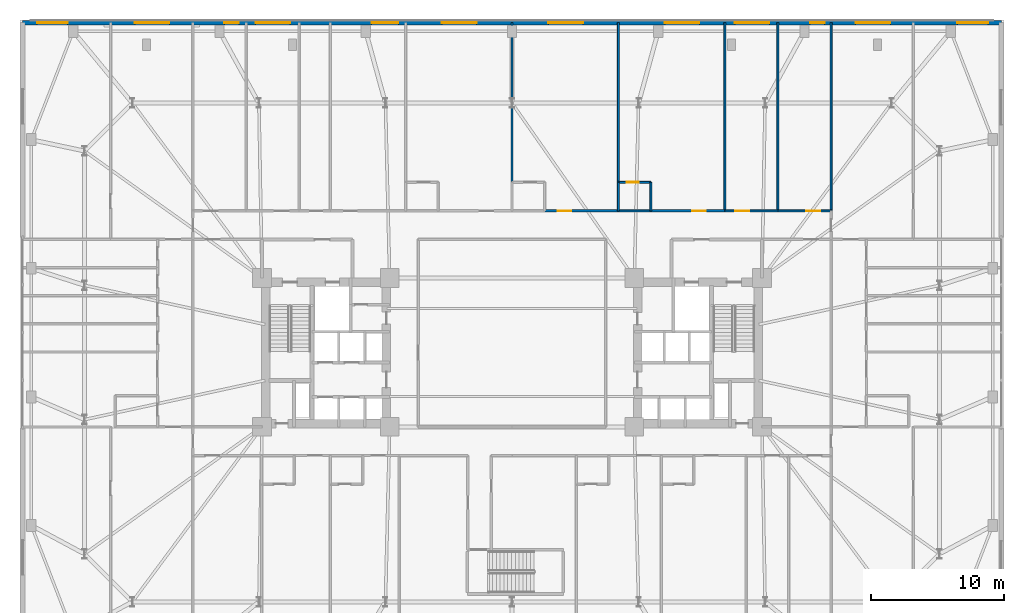
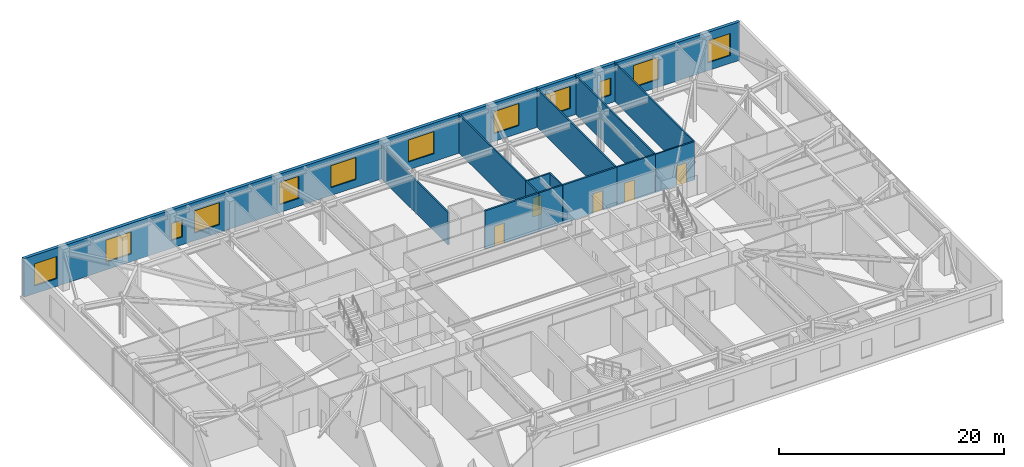
# One storey, part 16 of 21: 14 walls, 12 windows, 5 doors, 17 openings.
"""IFC4 building model written with IfcOpenShell, lengths in metres."""

from ifc_helpers import new_model, si_unit, direction, frame, frame_2d, origin, place, context, subcontext, project, spatial, rectangle, extrude, material, layer, layer_set, type_object, element, fill, save


model = new_model("IFC4")

# Units and contexts
model_context = context("Model", 3, precision=1e-05, world=origin(), true_north=direction((0.0, 1.0)))
body_context = subcontext(model_context, "Body", "Model", "MODEL_VIEW")
ifc_project = project(units=[si_unit("LENGTHUNIT", "METRE"), si_unit("AREAUNIT", "SQUARE_METRE"), si_unit("VOLUMEUNIT", "CUBIC_METRE"), si_unit("PLANEANGLEUNIT", "RADIAN"), si_unit("MASSUNIT", "GRAM", prefix="KILO")], contexts=[model_context])

# Site, building, storey
site_placement = place(None, origin())
site = spatial("IfcSite", under=ifc_project, at=site_placement, CompositionType="ELEMENT")
building_placement = place(site_placement, origin())
building = spatial("IfcBuilding", under=site, at=building_placement, Name="Qobustan Lattice House", CompositionType="ELEMENT")
storey_placement = place(building_placement, frame((0.0, 0.0, 18.0)))
storey = spatial("IfcBuildingStorey", under=building, at=storey_placement, Name="L04", CompositionType="ELEMENT", Elevation=18.0)

# Wall, openings, windows
ifc_material_1 = material(Name="Precast concrete C40/50", Category="concrete")
ifc_layer_1 = layer(ifc_material_1, 0.320068359375)
ifc_layer_set_1 = layer_set([ifc_layer_1], Name="Precast concrete C40/50")
wall_type_1 = type_object("IfcWallType", Name="WAL-EXT-STONE-320", PredefinedType="SOLIDWALL", material=ifc_layer_set_1)
wall_1_placement = place(storey_placement, frame((-36.800048828125, 24.800048828125, 0.0), z_axis=(0.0, 0.0, 1.0), x_axis=(1.0, 0.0, 0.0)))
wall_1 = element("IfcWall", 1, at=wall_1_placement, inside=storey, type_object=wall_type_1, Name="L04 exterior limestone-clad wall 2", PredefinedType="SOLIDWALL", context=body_context, shape_type="SweptSolid", body=[
    extrude(rectangle(XDim=73.60009765625, YDim=0.320068359375, at=frame_2d((36.800048828125, 0.0))), origin(), (0.0, 0.0, 1.0), 4.169921875),
])
opening_1_placement = place(wall_1_placement, frame((1.078857421875, 0.0, 0.85009765625)))
opening_1 = element("IfcOpeningElement", 2, at=opening_1_placement, cuts=wall_1, Name="Opening WN-16", PredefinedType="OPENING", context=body_context, shape_type="SweptSolid", body=[
    extrude(rectangle(XDim=2.300048828125, YDim=2.39990234375, at=frame_2d((1.14990234375, 1.199951171875))), frame((0.0, 0.169921875, 0.0), z_axis=(0.0, -1.0, 0.0), x_axis=(1.0, 0.0, 0.0)), (0.0, 0.0, 1.0), 0.340087890625),
])
opening_2_placement = place(wall_1_placement, frame((8.4306640625, 0.0, 0.85009765625)))
opening_2 = element("IfcOpeningElement", 3, at=opening_2_placement, cuts=wall_1, Name="Opening WN-06", PredefinedType="OPENING", context=body_context, shape_type="SweptSolid", body=[
    extrude(rectangle(XDim=2.60009765625, YDim=2.39990234375, at=frame_2d((1.300048828125, 1.199951171875))), frame((0.0, 0.169921875, 0.0), z_axis=(0.0, -1.0, 0.0), x_axis=(1.0, 0.0, 0.0)), (0.0, 0.0, 1.0), 0.340087890625),
])
opening_3_placement = place(wall_1_placement, frame((15.168212890625, 0.0, 0.85009765625)))
opening_3 = element("IfcOpeningElement", 4, at=opening_3_placement, cuts=wall_1, Name="Opening WN-04", PredefinedType="OPENING", context=body_context, shape_type="SweptSolid", body=[
    extrude(rectangle(XDim=1.10009765625, YDim=1.85009765625, at=frame_2d((0.550048828125, 0.925048828125))), frame((0.0, 0.169921875, 0.0), z_axis=(0.0, -1.0, 0.0), x_axis=(1.0, 0.0, 0.0)), (0.0, 0.0, 1.0), 0.340087890625),
])
opening_4_placement = place(wall_1_placement, frame((17.5205078125, 0.0, 0.85009765625)))
opening_4 = element("IfcOpeningElement", 5, at=opening_4_placement, cuts=wall_1, Name="Opening WN-06", PredefinedType="OPENING", context=body_context, shape_type="SweptSolid", body=[
    extrude(rectangle(XDim=2.60009765625, YDim=2.39990234375, at=frame_2d((1.300048828125, 1.199951171875))), frame((0.0, 0.169921875, 0.0), z_axis=(0.0, -1.0, 0.0), x_axis=(1.0, 0.0, 0.0)), (0.0, 0.0, 1.0), 0.340087890625),
])
opening_5_placement = place(wall_1_placement, frame((26.24609375, 0.0, 0.85009765625)))
opening_5 = element("IfcOpeningElement", 6, at=opening_5_placement, cuts=wall_1, Name="Opening WN-05", PredefinedType="OPENING", context=body_context, shape_type="SweptSolid", body=[
    extrude(rectangle(XDim=2.0, YDim=2.39990234375, at=frame_2d((1.0, 1.199951171875))), frame((0.0, 0.169921875, 0.0), z_axis=(0.0, -1.0, 0.0), x_axis=(1.0, 0.0, 0.0)), (0.0, 0.0, 1.0), 0.340087890625),
])
opening_6_placement = place(wall_1_placement, frame((31.53564453125, 0.0, 0.85009765625)))
opening_6 = element("IfcOpeningElement", 7, at=opening_6_placement, cuts=wall_1, Name="Opening WN-06", PredefinedType="OPENING", context=body_context, shape_type="SweptSolid", body=[
    extrude(rectangle(XDim=2.60009765625, YDim=2.39990234375, at=frame_2d((1.300048828125, 1.199951171875))), frame((0.0, 0.169921875, 0.0), z_axis=(0.0, -1.0, 0.0), x_axis=(1.0, 0.0, 0.0)), (0.0, 0.0, 1.0), 0.340087890625),
])
opening_7_placement = place(wall_1_placement, frame((39.54443359375, 0.0, 0.85009765625)))
opening_7 = element("IfcOpeningElement", 8, at=opening_7_placement, cuts=wall_1, Name="Opening WN-06", PredefinedType="OPENING", context=body_context, shape_type="SweptSolid", body=[
    extrude(rectangle(XDim=2.60009765625, YDim=2.39990234375, at=frame_2d((1.300048828125, 1.199951171875))), frame((0.0, 0.169921875, 0.0), z_axis=(0.0, -1.0, 0.0), x_axis=(1.0, 0.0, 0.0)), (0.0, 0.0, 1.0), 0.340087890625),
])
opening_8_placement = place(wall_1_placement, frame((48.29833984375, 0.0, 0.85009765625)))
opening_8 = element("IfcOpeningElement", 9, at=opening_8_placement, cuts=wall_1, Name="Opening WN-06", PredefinedType="OPENING", context=body_context, shape_type="SweptSolid", body=[
    extrude(rectangle(XDim=2.60009765625, YDim=2.39990234375, at=frame_2d((1.300048828125, 1.199951171875))), frame((0.0, 0.169921875, 0.0), z_axis=(0.0, -1.0, 0.0), x_axis=(1.0, 0.0, 0.0)), (0.0, 0.0, 1.0), 0.340087890625),
])
opening_9_placement = place(wall_1_placement, frame((53.5595703125, 0.0, 0.85009765625)))
opening_9 = element("IfcOpeningElement", 10, at=opening_9_placement, cuts=wall_1, Name="Opening WN-06", PredefinedType="OPENING", context=body_context, shape_type="SweptSolid", body=[
    extrude(rectangle(XDim=2.60009765625, YDim=2.39990234375, at=frame_2d((1.300048828125, 1.199951171875))), frame((0.0, 0.169921875, 0.0), z_axis=(0.0, -1.0, 0.0), x_axis=(1.0, 0.0, 0.0)), (0.0, 0.0, 1.0), 0.340087890625),
])
opening_10_placement = place(wall_1_placement, frame((59.2158203125, 0.0, 0.85009765625)))
opening_10 = element("IfcOpeningElement", 11, at=opening_10_placement, cuts=wall_1, Name="Opening WN-04", PredefinedType="OPENING", context=body_context, shape_type="SweptSolid", body=[
    extrude(rectangle(XDim=1.10009765625, YDim=1.85009765625, at=frame_2d((0.550048828125, 0.925048828125))), frame((0.0, 0.169921875, 0.0), z_axis=(0.0, -1.0, 0.0), x_axis=(1.0, 0.0, 0.0)), (0.0, 0.0, 1.0), 0.340087890625),
])
opening_11_placement = place(wall_1_placement, frame((62.6494140625, 0.0, 0.85009765625)))
opening_11 = element("IfcOpeningElement", 12, at=opening_11_placement, cuts=wall_1, Name="Opening WN-06", PredefinedType="OPENING", context=body_context, shape_type="SweptSolid", body=[
    extrude(rectangle(XDim=2.60009765625, YDim=2.39990234375, at=frame_2d((1.300048828125, 1.199951171875))), frame((0.0, 0.169921875, 0.0), z_axis=(0.0, -1.0, 0.0), x_axis=(1.0, 0.0, 0.0)), (0.0, 0.0, 1.0), 0.340087890625),
])
opening_12_placement = place(wall_1_placement, frame((70.30126953125, 0.0, 0.85009765625)))
opening_12 = element("IfcOpeningElement", 13, at=opening_12_placement, cuts=wall_1, Name="Opening WN-16", PredefinedType="OPENING", context=body_context, shape_type="SweptSolid", body=[
    extrude(rectangle(XDim=2.300048828125, YDim=2.39990234375, at=frame_2d((1.14990234375, 1.199951171875))), frame((0.0, 0.169921875, 0.0), z_axis=(0.0, -1.0, 0.0), x_axis=(1.0, 0.0, 0.0)), (0.0, 0.0, 1.0), 0.340087890625),
])
ifc_material_2 = material(Name="Double-glazed low-E aluminium window", Category="aluminium")
window_type_1 = type_object("IfcWindowType", Name="WIN-NAR-1100x1850", PartitioningType="SINGLE_PANEL", PredefinedType="WINDOW", material=ifc_material_2)
window_1_placement = place(opening_3_placement, origin())
window_1 = element("IfcWindow", 14, at=window_1_placement, inside=storey, type_object=window_type_1, Name="L04 Focus study room N1A window", OverallHeight=1.85009765625, OverallWidth=1.10009765625, PartitioningType="SINGLE_PANEL", PredefinedType="WINDOW", context=body_context, shape_type="SweptSolid", body=[
    extrude(rectangle(XDim=1.10009765625, YDim=1.85009765625, at=frame_2d((0.550048828125, 0.925048828125))), frame((0.0, 0.030029296875, 0.0), z_axis=(0.0, -1.0, 0.0), x_axis=(1.0, 0.0, 0.0)), (0.0, 0.0, 1.0), 0.06005859375),
])
fill(opening_3, window_1)
window_2_placement = place(opening_10_placement, origin())
window_2 = element("IfcWindow", 15, at=window_2_placement, inside=storey, type_object=window_type_1, Name="L04 Focus study room N6B window", OverallHeight=1.85009765625, OverallWidth=1.10009765625, PartitioningType="SINGLE_PANEL", PredefinedType="WINDOW", context=body_context, shape_type="SweptSolid", body=[
    extrude(rectangle(XDim=1.10009765625, YDim=1.85009765625, at=frame_2d((0.550048828125, 0.925048828125))), frame((0.0, 0.030029296875, 0.0), z_axis=(0.0, -1.0, 0.0), x_axis=(1.0, 0.0, 0.0)), (0.0, 0.0, 1.0), 0.06005859375),
])
fill(opening_10, window_2)
ifc_material_3 = material(Name="Double-glazed low-E aluminium window", Category="aluminium")
window_type_2 = type_object("IfcWindowType", Name="WIN-POD-2000x2400", PartitioningType="SINGLE_PANEL", PredefinedType="WINDOW", material=ifc_material_3)
window_3_placement = place(opening_5_placement, origin())
window_3 = element("IfcWindow", 16, at=window_3_placement, inside=storey, type_object=window_type_2, Name="L04 Laundry utility room window", OverallHeight=2.39990234375, OverallWidth=2.0, PartitioningType="SINGLE_PANEL", PredefinedType="WINDOW", context=body_context, shape_type="SweptSolid", body=[
    extrude(rectangle(XDim=2.0, YDim=2.39990234375, at=frame_2d((1.0, 1.199951171875))), frame((0.0, 0.030029296875, 0.0), z_axis=(0.0, -1.0, 0.0), x_axis=(1.0, 0.0, 0.0)), (0.0, 0.0, 1.0), 0.06005859375),
])
fill(opening_5, window_3)
ifc_material_4 = material(Name="Double-glazed low-E aluminium window", Category="aluminium")
window_type_3 = type_object("IfcWindowType", Name="WIN-POD-2300x2400", PartitioningType="SINGLE_PANEL", PredefinedType="WINDOW", material=ifc_material_4)
window_4_placement = place(opening_1_placement, origin())
window_4 = element("IfcWindow", 17, at=window_4_placement, inside=storey, type_object=window_type_3, Name="L04 Collaborative study room L04WN window", OverallHeight=2.39990234375, OverallWidth=2.300048828125, PartitioningType="SINGLE_PANEL", PredefinedType="WINDOW", context=body_context, shape_type="SweptSolid", body=[
    extrude(rectangle(XDim=2.300048828125, YDim=2.39990234375, at=frame_2d((1.14990234375, 1.199951171875))), frame((0.0, 0.030029296875, 0.0), z_axis=(0.0, -1.0, 0.0), x_axis=(1.0, 0.0, 0.0)), (0.0, 0.0, 1.0), 0.06005859375),
])
fill(opening_1, window_4)
window_5_placement = place(opening_12_placement, origin())
window_5 = element("IfcWindow", 18, at=window_5_placement, inside=storey, type_object=window_type_3, Name="L04 Collaborative study room L04EN window", OverallHeight=2.39990234375, OverallWidth=2.300048828125, PartitioningType="SINGLE_PANEL", PredefinedType="WINDOW", context=body_context, shape_type="SweptSolid", body=[
    extrude(rectangle(XDim=2.300048828125, YDim=2.39990234375, at=frame_2d((1.14990234375, 1.199951171875))), frame((0.0, 0.030029296875, 0.0), z_axis=(0.0, -1.0, 0.0), x_axis=(1.0, 0.0, 0.0)), (0.0, 0.0, 1.0), 0.06005859375),
])
fill(opening_12, window_5)
ifc_material_5 = material(Name="Double-glazed low-E aluminium window", Category="aluminium")
window_type_4 = type_object("IfcWindowType", Name="WIN-POD-2600x2400", PartitioningType="SINGLE_PANEL", PredefinedType="WINDOW", material=ifc_material_5)
window_6_placement = place(opening_2_placement, origin())
window_6 = element("IfcWindow", 19, at=window_6_placement, inside=storey, type_object=window_type_4, Name="L04 Reading seminar room L04WN window", OverallHeight=2.39990234375, OverallWidth=2.60009765625, PartitioningType="SINGLE_PANEL", PredefinedType="WINDOW", context=body_context, shape_type="SweptSolid", body=[
    extrude(rectangle(XDim=2.60009765625, YDim=2.39990234375, at=frame_2d((1.300048828125, 1.199951171875))), frame((0.0, 0.030029296875, 0.0), z_axis=(0.0, -1.0, 0.0), x_axis=(1.0, 0.0, 0.0)), (0.0, 0.0, 1.0), 0.06005859375),
])
fill(opening_2, window_6)
window_7_placement = place(opening_4_placement, origin())
window_7 = element("IfcWindow", 20, at=window_7_placement, inside=storey, type_object=window_type_4, Name="L04 Focus study room N1B window", OverallHeight=2.39990234375, OverallWidth=2.60009765625, PartitioningType="SINGLE_PANEL", PredefinedType="WINDOW", context=body_context, shape_type="SweptSolid", body=[
    extrude(rectangle(XDim=2.60009765625, YDim=2.39990234375, at=frame_2d((1.300048828125, 1.199951171875))), frame((0.0, 0.030029296875, 0.0), z_axis=(0.0, -1.0, 0.0), x_axis=(1.0, 0.0, 0.0)), (0.0, 0.0, 1.0), 0.06005859375),
])
fill(opening_4, window_7)
window_8_placement = place(opening_6_placement, origin())
window_8 = element("IfcWindow", 21, at=window_8_placement, inside=storey, type_object=window_type_4, Name="L04 Kitchenette and studio apartment L04-N3 window", OverallHeight=2.39990234375, OverallWidth=2.60009765625, PartitioningType="SINGLE_PANEL", PredefinedType="WINDOW", context=body_context, shape_type="SweptSolid", body=[
    extrude(rectangle(XDim=2.60009765625, YDim=2.39990234375, at=frame_2d((1.300048828125, 1.199951171875))), frame((0.0, 0.030029296875, 0.0), z_axis=(0.0, -1.0, 0.0), x_axis=(1.0, 0.0, 0.0)), (0.0, 0.0, 1.0), 0.06005859375),
])
fill(opening_6, window_8)
window_9_placement = place(opening_7_placement, origin())
window_9 = element("IfcWindow", 22, at=window_9_placement, inside=storey, type_object=window_type_4, Name="L04 Kitchenette and studio apartment L04-N4 window", OverallHeight=2.39990234375, OverallWidth=2.60009765625, PartitioningType="SINGLE_PANEL", PredefinedType="WINDOW", context=body_context, shape_type="SweptSolid", body=[
    extrude(rectangle(XDim=2.60009765625, YDim=2.39990234375, at=frame_2d((1.300048828125, 1.199951171875))), frame((0.0, 0.030029296875, 0.0), z_axis=(0.0, -1.0, 0.0), x_axis=(1.0, 0.0, 0.0)), (0.0, 0.0, 1.0), 0.06005859375),
])
fill(opening_7, window_9)
window_10_placement = place(opening_8_placement, origin())
window_10 = element("IfcWindow", 23, at=window_10_placement, inside=storey, type_object=window_type_4, Name="L04 Kitchenette and studio apartment L04-N5 window", OverallHeight=2.39990234375, OverallWidth=2.60009765625, PartitioningType="SINGLE_PANEL", PredefinedType="WINDOW", context=body_context, shape_type="SweptSolid", body=[
    extrude(rectangle(XDim=2.60009765625, YDim=2.39990234375, at=frame_2d((1.300048828125, 1.199951171875))), frame((0.0, 0.030029296875, 0.0), z_axis=(0.0, -1.0, 0.0), x_axis=(1.0, 0.0, 0.0)), (0.0, 0.0, 1.0), 0.06005859375),
])
fill(opening_8, window_10)
window_11_placement = place(opening_9_placement, origin())
window_11 = element("IfcWindow", 24, at=window_11_placement, inside=storey, type_object=window_type_4, Name="L04 Focus study room N6A window", OverallHeight=2.39990234375, OverallWidth=2.60009765625, PartitioningType="SINGLE_PANEL", PredefinedType="WINDOW", context=body_context, shape_type="SweptSolid", body=[
    extrude(rectangle(XDim=2.60009765625, YDim=2.39990234375, at=frame_2d((1.300048828125, 1.199951171875))), frame((0.0, 0.030029296875, 0.0), z_axis=(0.0, -1.0, 0.0), x_axis=(1.0, 0.0, 0.0)), (0.0, 0.0, 1.0), 0.06005859375),
])
fill(opening_9, window_11)
window_12_placement = place(opening_11_placement, origin())
window_12 = element("IfcWindow", 25, at=window_12_placement, inside=storey, type_object=window_type_4, Name="L04 Reading seminar room L04EN window", OverallHeight=2.39990234375, OverallWidth=2.60009765625, PartitioningType="SINGLE_PANEL", PredefinedType="WINDOW", context=body_context, shape_type="SweptSolid", body=[
    extrude(rectangle(XDim=2.60009765625, YDim=2.39990234375, at=frame_2d((1.300048828125, 1.199951171875))), frame((0.0, 0.030029296875, 0.0), z_axis=(0.0, -1.0, 0.0), x_axis=(1.0, 0.0, 0.0)), (0.0, 0.0, 1.0), 0.06005859375),
])
fill(opening_11, window_12)

# Wall, opening, door
ifc_material_6 = material(Name="Gypsum fireboard acoustic partition", Category="gypsum")
ifc_layer_2 = layer(ifc_material_6, 0.179931640625)
ifc_layer_set_2 = layer_set([ifc_layer_2], Name="Gypsum fireboard acoustic partition")
wall_type_2 = type_object("IfcWallType", Name="WAL-FIRE-180", PredefinedType="PARTITIONING", material=ifc_layer_set_2)
wall_2_placement = place(storey_placement, frame((2.449951171875, 10.64990234375, 0.0), z_axis=(0.0, 0.0, 1.0), x_axis=(1.0, 0.0, 0.0)))
wall_2 = element("IfcWall", 26, at=wall_2_placement, inside=storey, type_object=wall_type_2, Name="L04 interior partition 48", PredefinedType="PARTITIONING", context=body_context, shape_type="SweptSolid", body=[
    extrude(rectangle(XDim=5.550048828125, YDim=0.179931640625, at=frame_2d((2.77490234375, 0.0))), origin(), (0.0, 0.0, 1.0), 4.169921875),
])
opening_13_placement = place(wall_2_placement, frame((1.00390625, 0.0, 0.0)))
opening_13 = element("IfcOpeningElement", 27, at=opening_13_placement, cuts=wall_2, Name="Opening FD-02", PredefinedType="OPENING", context=body_context, shape_type="SweptSolid", body=[
    extrude(rectangle(XDim=1.0, YDim=2.14990234375, at=frame_2d((0.5, 1.074951171875))), frame((0.0, 0.099853515625, 0.0), z_axis=(0.0, -1.0, 0.0), x_axis=(1.0, 0.0, 0.0)), (0.0, 0.0, 1.0), 0.199951171875),
])
ifc_material_7 = material(Name="Persian walnut timber and steel frame door", Category="steel")
door_type_1 = type_object("IfcDoorType", Name="DOR-UNIT-FD-1000x2150", OperationType="NOTDEFINED", PredefinedType="DOOR", material=ifc_material_7)
door_1_placement = place(opening_13_placement, origin())
door_1 = element("IfcDoor", 28, at=door_1_placement, inside=storey, type_object=door_type_1, Name="L04 North-east podium corridor to Kitchenette and studio apartment L04-N4 door", OperationType="SINGLE_SWING_RIGHT", OverallHeight=2.14990234375, OverallWidth=1.0, PredefinedType="DOOR", context=body_context, shape_type="SweptSolid", body=[
    extrude(rectangle(XDim=1.0, YDim=2.14990234375, at=frame_2d((0.5, 1.074951171875))), frame((0.0, 0.02490234375, 0.0), z_axis=(0.0, -1.0, 0.0), x_axis=(1.0, 0.0, 0.0)), (0.0, 0.0, 1.0), 0.050048828125),
])
fill(opening_13, door_1)

wall_3_placement = place(storey_placement, frame((10.449951171875, 10.64990234375, 0.0), z_axis=(0.0, 0.0, 1.0), x_axis=(1.0, 0.0, 0.0)))
wall_3 = element("IfcWall", 29, at=wall_3_placement, inside=storey, type_object=wall_type_2, Name="L04 interior partition 50", PredefinedType="PARTITIONING", context=body_context, shape_type="SweptSolid", body=[
    extrude(rectangle(XDim=5.550048828125, YDim=0.179931640625, at=frame_2d((2.77490234375, 0.0))), origin(), (0.0, 0.0, 1.0), 4.169921875),
])
opening_14_placement = place(wall_3_placement, frame((3.12255859375, 0.0, 0.0)))
opening_14 = element("IfcOpeningElement", 30, at=opening_14_placement, cuts=wall_3, Name="Opening FD-02", PredefinedType="OPENING", context=body_context, shape_type="SweptSolid", body=[
    extrude(rectangle(XDim=1.0, YDim=2.14990234375, at=frame_2d((0.5, 1.074951171875))), frame((0.0, 0.099853515625, 0.0), z_axis=(0.0, -1.0, 0.0), x_axis=(1.0, 0.0, 0.0)), (0.0, 0.0, 1.0), 0.199951171875),
])
door_2_placement = place(opening_14_placement, origin())
door_2 = element("IfcDoor", 31, at=door_2_placement, inside=storey, type_object=door_type_1, Name="L04 North-east podium corridor to Kitchenette and studio apartment L04-N5 door", OperationType="SINGLE_SWING_LEFT", OverallHeight=2.14990234375, OverallWidth=1.0, PredefinedType="DOOR", context=body_context, shape_type="SweptSolid", body=[
    extrude(rectangle(XDim=1.0, YDim=2.14990234375, at=frame_2d((0.5, 1.074951171875))), frame((0.0, 0.02490234375, 0.0), z_axis=(0.0, -1.0, 0.0), x_axis=(1.0, 0.0, 0.0)), (0.0, 0.0, 1.0), 0.050048828125),
])
fill(opening_14, door_2)

ifc_material_8 = material(Name="Acoustic twin-stud gypsum partition", Category="gypsum")
ifc_layer_3 = layer(ifc_material_8, 0.14990234375)
ifc_layer_set_3 = layer_set([ifc_layer_3], Name="Acoustic twin-stud gypsum partition")
wall_type_3 = type_object("IfcWallType", Name="WAL-PART-150", PredefinedType="PARTITIONING", material=ifc_layer_set_3)
wall_4_placement = place(storey_placement, frame((16.0, 10.64990234375, 0.0), z_axis=(0.0, 0.0, 1.0), x_axis=(1.0, 0.0, 0.0)))
wall_4 = element("IfcWall", 32, at=wall_4_placement, inside=storey, type_object=wall_type_3, Name="L04 interior partition 52", PredefinedType="PARTITIONING", context=body_context, shape_type="SweptSolid", body=[
    extrude(rectangle(XDim=4.0, YDim=0.14990234375, at=frame_2d((2.0, 0.0))), origin(), (0.0, 0.0, 1.0), 4.169921875),
])
opening_15_placement = place(wall_4_placement, frame((0.8037109375, 0.0, 0.0)))
opening_15 = element("IfcOpeningElement", 33, at=opening_15_placement, cuts=wall_4, Name="Opening ID-02", PredefinedType="OPENING", context=body_context, shape_type="SweptSolid", body=[
    extrude(rectangle(XDim=1.050048828125, YDim=2.14990234375, at=frame_2d((0.52490234375, 1.074951171875))), frame((0.0, 0.0849609375, 0.0), z_axis=(0.0, -1.0, 0.0), x_axis=(1.0, 0.0, 0.0)), (0.0, 0.0, 1.0), 0.169921875),
])
ifc_material_9 = material(Name="Persian walnut timber and steel frame door", Category="steel")
door_type_2 = type_object("IfcDoorType", Name="DOR-STUDY-1050x2150", OperationType="NOTDEFINED", PredefinedType="DOOR", material=ifc_material_9)
door_3_placement = place(opening_15_placement, origin())
door_3 = element("IfcDoor", 34, at=door_3_placement, inside=storey, type_object=door_type_2, Name="L04 North-east podium corridor to Focus study room N6A door", OperationType="SINGLE_SWING_RIGHT", OverallHeight=2.14990234375, OverallWidth=1.050048828125, PredefinedType="DOOR", context=body_context, shape_type="SweptSolid", body=[
    extrude(rectangle(XDim=1.050048828125, YDim=2.14990234375, at=frame_2d((0.52490234375, 1.074951171875))), frame((0.0, 0.02490234375, 0.0), z_axis=(0.0, -1.0, 0.0), x_axis=(1.0, 0.0, 0.0)), (0.0, 0.0, 1.0), 0.050048828125),
])
fill(opening_15, door_3)

wall_5_placement = place(storey_placement, frame((20.0, 10.64990234375, 0.0), z_axis=(0.0, 0.0, 1.0), x_axis=(1.0, 0.0, 0.0)))
wall_5 = element("IfcWall", 35, at=wall_5_placement, inside=storey, type_object=wall_type_3, Name="L04 interior partition 53", PredefinedType="PARTITIONING", context=body_context, shape_type="SweptSolid", body=[
    extrude(rectangle(XDim=4.0, YDim=0.14990234375, at=frame_2d((2.0, 0.0))), origin(), (0.0, 0.0, 1.0), 4.169921875),
])
opening_16_placement = place(wall_5_placement, frame((2.146240234375, 0.0, 0.0)))
opening_16 = element("IfcOpeningElement", 36, at=opening_16_placement, cuts=wall_5, Name="Opening ID-02", PredefinedType="OPENING", context=body_context, shape_type="SweptSolid", body=[
    extrude(rectangle(XDim=1.050048828125, YDim=2.14990234375, at=frame_2d((0.52490234375, 1.074951171875))), frame((0.0, 0.0849609375, 0.0), z_axis=(0.0, -1.0, 0.0), x_axis=(1.0, 0.0, 0.0)), (0.0, 0.0, 1.0), 0.169921875),
])
door_4_placement = place(opening_16_placement, origin())
door_4 = element("IfcDoor", 37, at=door_4_placement, inside=storey, type_object=door_type_2, Name="L04 North-east podium corridor to Focus study room N6B door", OperationType="SINGLE_SWING_LEFT", OverallHeight=2.14990234375, OverallWidth=1.050048828125, PredefinedType="DOOR", context=body_context, shape_type="SweptSolid", body=[
    extrude(rectangle(XDim=1.050048828125, YDim=2.14990234375, at=frame_2d((0.52490234375, 1.074951171875))), frame((0.0, 0.02490234375, 0.0), z_axis=(0.0, -1.0, 0.0), x_axis=(1.0, 0.0, 0.0)), (0.0, 0.0, 1.0), 0.050048828125),
])
fill(opening_16, door_4)

# Walls
wall_6_placement = place(storey_placement, frame((24.0, 10.64990234375, 0.0), z_axis=(0.0, 0.0, 1.0), x_axis=(0.0, 1.0, 0.0)))
element("IfcWall", 38, at=wall_6_placement, inside=storey, type_object=wall_type_3, Name="L04 interior partition 113", PredefinedType="PARTITIONING", context=body_context, shape_type="SweptSolid", body=[
    extrude(rectangle(XDim=14.150146484375, YDim=0.14990234375, at=frame_2d((7.0751953125, 0.0))), origin(), (0.0, 0.0, 1.0), 4.169921875),
])
wall_7_placement = place(storey_placement, frame((0.0, 24.800048828125, 0.0), z_axis=(0.0, 0.0, 1.0), x_axis=(0.0, -1.0, 0.0)))
element("IfcWall", 39, at=wall_7_placement, inside=storey, type_object=wall_type_3, Name="L04 interior partition 132", PredefinedType="PARTITIONING", context=body_context, shape_type="SweptSolid", body=[
    extrude(rectangle(XDim=12.0, YDim=0.14990234375, at=frame_2d((6.0, 0.0))), origin(), (0.0, 0.0, 1.0), 3.554931640625),
])
wall_8_placement = place(storey_placement, frame((8.0, 24.800048828125, 0.0), z_axis=(0.0, 0.0, 1.0), x_axis=(0.0, -1.0, 0.0)))
element("IfcWall", 40, at=wall_8_placement, inside=storey, type_object=wall_type_3, Name="L04 interior partition 136", PredefinedType="PARTITIONING", context=body_context, shape_type="SweptSolid", body=[
    extrude(rectangle(XDim=12.0, YDim=0.14990234375, at=frame_2d((6.0, 0.0))), origin(), (0.0, 0.0, 1.0), 4.169921875),
])
for number, where, z_axis, x_axis, name in (
    (41, (16.0, 24.800048828125, 0.0), (0.0, 0.0, 1.0), (0.0, -1.0, 0.0), "L04 interior partition 140"),
    (42, (20.0, 24.800048828125, 0.0), (0.0, 0.0, 1.0), (0.0, -1.0, 0.0), "L04 interior partition 141"),
):
    element("IfcWall", number, at=place(storey_placement, frame(where, z_axis=z_axis, x_axis=x_axis)), inside=storey, type_object=wall_type_3, Name=name, PredefinedType="PARTITIONING", context=body_context, shape_type="SweptSolid", body=[
        extrude(rectangle(XDim=14.150146484375, YDim=0.14990234375, at=frame_2d((7.0751953125, 0.0))), origin(), (0.0, 0.0, 1.0), 4.169921875),
    ])
ifc_material_10 = material(Name="Moisture-resistant acoustic plumbing wall", Category="gypsum")
ifc_layer_4 = layer(ifc_material_10, 0.14990234375)
ifc_layer_set_4 = layer_set([ifc_layer_4], Name="Moisture-resistant acoustic plumbing wall")
wall_type_4 = type_object("IfcWallType", Name="WAL-WET-150", PredefinedType="PLUMBINGWALL", material=ifc_layer_set_4)
wall_9_placement = place(storey_placement, frame((8.0, 10.64990234375, 0.0), z_axis=(0.0, 0.0, 1.0), x_axis=(1.0, 0.0, 0.0)))
element("IfcWall", 43, at=wall_9_placement, inside=storey, type_object=wall_type_4, Name="L04 interior partition 51", PredefinedType="PLUMBINGWALL", context=body_context, shape_type="SweptSolid", body=[
    extrude(rectangle(XDim=2.449951171875, YDim=0.14990234375, at=frame_2d((1.22509765625, 0.0))), origin(), (0.0, 0.0, 1.0), 4.169921875),
])
wall_10_placement = place(storey_placement, frame((8.0, 12.800048828125, 0.0), z_axis=(0.0, 0.0, 1.0), x_axis=(0.0, -1.0, 0.0)))
element("IfcWall", 44, at=wall_10_placement, inside=storey, type_object=wall_type_4, Name="L04 interior partition 137", PredefinedType="PLUMBINGWALL", context=body_context, shape_type="SweptSolid", body=[
    extrude(rectangle(XDim=2.150146484375, YDim=0.14990234375, at=frame_2d((1.0751953125, 0.0))), origin(), (0.0, 0.0, 1.0), 4.169921875),
])

# Wall, opening, door
wall_11_placement = place(storey_placement, frame((10.449951171875, 12.800048828125, 0.0), z_axis=(0.0, 0.0, 1.0), x_axis=(-1.0, 0.0, 0.0)))
wall_11 = element("IfcWall", 45, at=wall_11_placement, inside=storey, type_object=wall_type_4, Name="L04 interior partition 138", PredefinedType="PLUMBINGWALL", context=body_context, shape_type="SweptSolid", body=[
    extrude(rectangle(XDim=2.449951171875, YDim=0.14990234375, at=frame_2d((1.22509765625, 0.0))), origin(), (0.0, 0.0, 1.0), 4.169921875),
])
opening_17_placement = place(wall_11_placement, frame((0.921142578125, 0.0, 0.0)))
opening_17 = element("IfcOpeningElement", 46, at=opening_17_placement, cuts=wall_11, Name="Opening WD-01", PredefinedType="OPENING", context=body_context, shape_type="SweptSolid", body=[
    extrude(rectangle(XDim=0.89990234375, YDim=2.10009765625, at=frame_2d((0.449951171875, 1.050048828125))), frame((0.0, 0.0849609375, 0.0), z_axis=(0.0, -1.0, 0.0), x_axis=(1.0, 0.0, 0.0)), (0.0, 0.0, 1.0), 0.169921875),
])
ifc_material_11 = material(Name="Persian walnut timber and steel frame door", Category="steel")
door_type_3 = type_object("IfcDoorType", Name="DOR-WET-900x2100", OperationType="NOTDEFINED", PredefinedType="DOOR", material=ifc_material_11)
door_5_placement = place(opening_17_placement, origin())
door_5 = element("IfcDoor", 47, at=door_5_placement, inside=storey, type_object=door_type_3, Name="L04 Kitchenette and studio apartment L04-N5 to En-suite bathroom L04-N5 door", OperationType="SINGLE_SWING_RIGHT", OverallHeight=2.10009765625, OverallWidth=0.89990234375, PredefinedType="DOOR", context=body_context, shape_type="SweptSolid", body=[
    extrude(rectangle(XDim=0.89990234375, YDim=2.10009765625, at=frame_2d((0.449951171875, 1.050048828125))), frame((0.0, 0.02490234375, 0.0), z_axis=(0.0, -1.0, 0.0), x_axis=(1.0, 0.0, 0.0)), (0.0, 0.0, 1.0), 0.050048828125),
])
fill(opening_17, door_5)

# Wall
wall_12_placement = place(storey_placement, frame((10.449951171875, 10.64990234375, 0.0), z_axis=(0.0, 0.0, 1.0), x_axis=(0.0, 1.0, 0.0)))
element("IfcWall", 48, at=wall_12_placement, inside=storey, type_object=wall_type_4, Name="L04 interior partition 139", PredefinedType="PLUMBINGWALL", context=body_context, shape_type="SweptSolid", body=[
    extrude(rectangle(XDim=2.150146484375, YDim=0.14990234375, at=frame_2d((1.0751953125, 0.0))), origin(), (0.0, 0.0, 1.0), 4.169921875),
])

save(model, "model.ifc")
